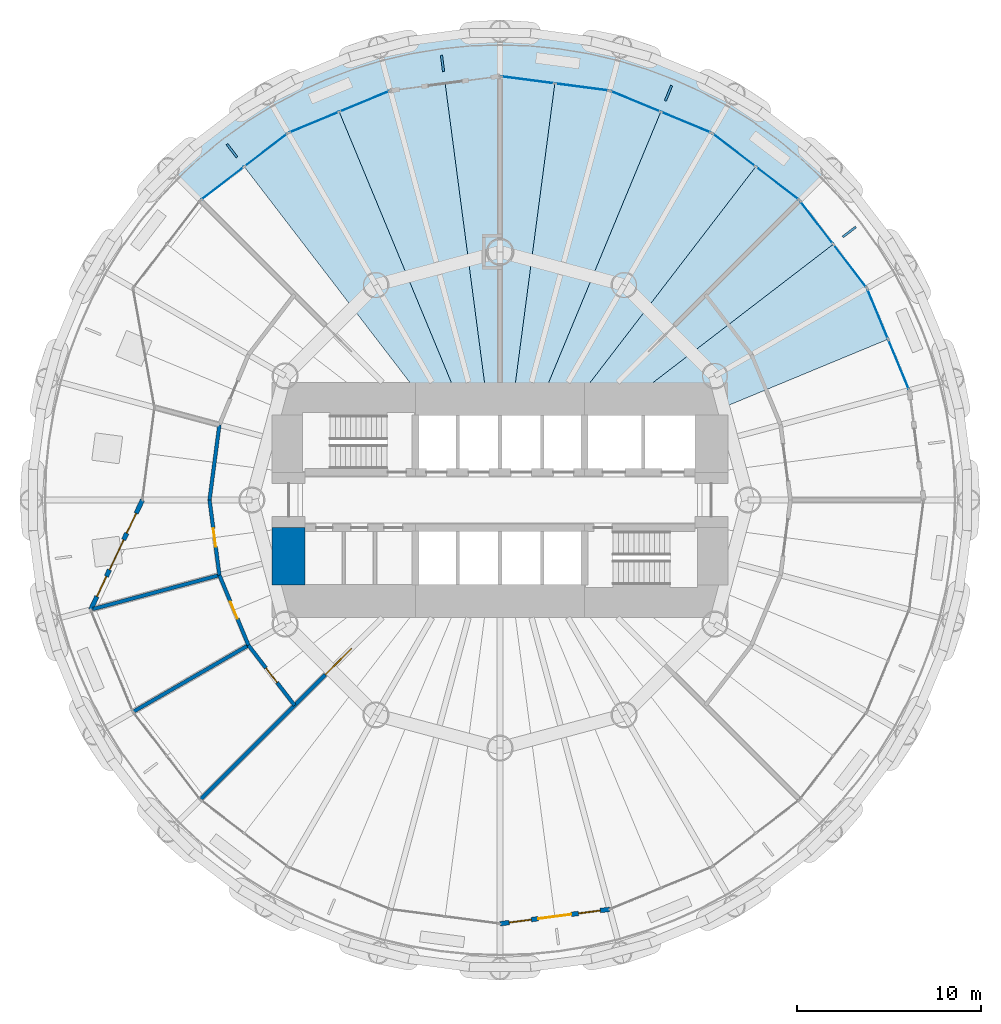
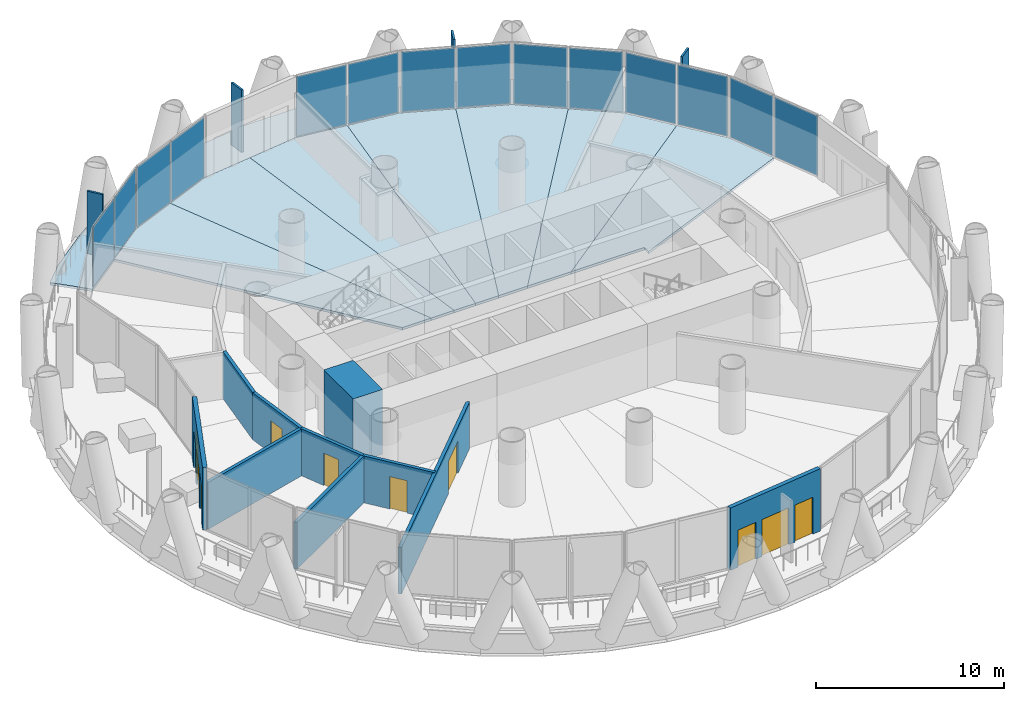
# One storey, part 9 of 15: 18 plates, 10 walls, 8 slabs, 6 doors, 4 windows, 10 openings, 7 elements without a shape of their own.
"""IFC4 building model written with IfcOpenShell, lengths in metres."""

from ifc_helpers import new_model, si_unit, direction, frame, frame_2d, origin, origin_2d, place, context, subcontext, project, spatial, polyline, rectangle, outline, extrude, material, layer, layer_set, type_object, element, fill, aggregate, save


model = new_model("IFC4")

# Units and contexts
model_context = context("Model", 3, precision=1e-05, world=origin(), true_north=direction((0.0, 1.0)))
body_context = subcontext(model_context, "Body", "Model", "MODEL_VIEW")
ifc_project = project(units=[si_unit("LENGTHUNIT", "METRE"), si_unit("AREAUNIT", "SQUARE_METRE"), si_unit("VOLUMEUNIT", "CUBIC_METRE"), si_unit("PLANEANGLEUNIT", "RADIAN"), si_unit("MASSUNIT", "GRAM", prefix="KILO")], contexts=[model_context])

# Site, building, storey
site_placement = place(None, origin())
site = spatial("IfcSite", under=ifc_project, at=site_placement, CompositionType="ELEMENT")
building_placement = place(site_placement, origin())
building = spatial("IfcBuilding", under=site, at=building_placement, Name="Qaws Media Tower", CompositionType="ELEMENT")
storey_placement = place(building_placement, frame((0.0, 0.0, 72.199951171875)))
storey = spatial("IfcBuildingStorey", under=building, at=storey_placement, Name="L15", CompositionType="ELEMENT", Elevation=72.199951171875)

# Slabs
ifc_material_1 = material(Name="Concrete C35/45", Category="concrete")
ifc_layer_1 = layer(ifc_material_1, 0.159912109375)
ifc_layer_set_1 = layer_set([ifc_layer_1], Name="Composite balcony slab 160")
slab_type_1 = type_object("IfcSlabType", Name="Composite balcony slab 160", PredefinedType="FLOOR", material=ifc_layer_set_1)
slab_1_placement = place(storey_placement, frame((0.0, 0.0, -0.159912109375)))
element("IfcSlab", 1, at=slab_1_placement, inside=storey, type_object=slab_type_1, Name="S2 balcony slab L15 R04 to R10, movement joints on R04 and R10", PredefinedType="FLOOR", context=body_context, shape_type="SweptSolid", body=[
    extrude(outline(polyline([(43.219482421875, 69.13427734375), (45.860595703125, 71.160888671875), (48.743896484375, 72.825439453125), (51.8193359375, 74.099365234375), (55.034912109375, 74.9609375), (58.33544921875, 75.3955078125), (61.66455078125, 75.3955078125), (64.965087890625, 74.9609375), (68.1806640625, 74.099365234375), (71.256103515625, 72.825439453125), (74.139404296875, 71.160888671875), (76.780517578125, 69.13427734375), (77.957275390625, 67.957275390625), (76.298828125, 66.298828125), (71.52490234375, 69.9619140625), (65.9658203125, 72.2646484375), (60.0, 73.050048828125), (54.0341796875, 72.2646484375), (48.47509765625, 69.9619140625), (43.701171875, 66.298828125), (42.042724609375, 67.957275390625), (43.219482421875, 69.13427734375)])), origin(), (0.0, 0.0, 1.0), 0.159912109375),
])
ifc_material_2 = material(Name="Concrete C35/45", Category="concrete")
ifc_layer_2 = layer(ifc_material_2, 0.159912109375)
ifc_layer_set_2 = layer_set([ifc_layer_2], Name="Composite floor slab 160")
slab_type_2 = type_object("IfcSlabType", Name="Composite floor slab 160", PredefinedType="FLOOR", material=ifc_layer_set_2)
slab_2_placement = place(storey_placement, frame((0.0, 0.0, -0.159912109375)))
element("IfcSlab", 2, at=slab_2_placement, inside=storey, type_object=slab_type_2, Name="S1 floor panel L15 on R03", PredefinedType="FLOOR", context=body_context, shape_type="SweptSolid", body=[
    extrude(outline(polyline([(79.9619140625, 61.52490234375), (81.11328125, 58.745361328125), (71.0, 54.556396484375), (71.0, 55.0), (66.51611328125, 55.0), (78.13037109375, 63.911865234375), (79.9619140625, 61.52490234375)])), origin(), (0.0, 0.0, 1.0), 0.159912109375),
])
slab_3_placement = place(storey_placement, frame((0.0, 0.0, -0.159912109375)))
element("IfcSlab", 3, at=slab_3_placement, inside=storey, type_object=slab_type_2, Name="S1 floor panel L15 on R04", PredefinedType="FLOOR", context=body_context, shape_type="SweptSolid", body=[
    extrude(outline(polyline([(76.298828125, 66.298828125), (78.13037109375, 63.911865234375), (66.51611328125, 55.0), (63.836669921875, 55.0), (73.911865234375, 68.13037109375), (76.298828125, 66.298828125)])), origin(), (0.0, 0.0, 1.0), 0.159912109375),
])
slab_4_placement = place(storey_placement, frame((0.0, 0.0, -0.159912109375)))
element("IfcSlab", 4, at=slab_4_placement, inside=storey, type_object=slab_type_2, Name="S1 floor panel L15 on R05", PredefinedType="FLOOR", context=body_context, shape_type="SweptSolid", body=[
    extrude(outline(polyline([(71.52490234375, 69.9619140625), (73.911865234375, 68.13037109375), (63.836669921875, 55.0), (62.071044921875, 55.0), (68.745361328125, 71.11328125), (71.52490234375, 69.9619140625)])), origin(), (0.0, 0.0, 1.0), 0.159912109375),
])
slab_5_placement = place(storey_placement, frame((0.0, 0.0, -0.159912109375)))
element("IfcSlab", 5, at=slab_5_placement, inside=storey, type_object=slab_type_2, Name="S1 floor panel L15 on R06", PredefinedType="FLOOR", context=body_context, shape_type="SweptSolid", body=[
    extrude(outline(polyline([(65.9658203125, 72.2646484375), (68.745361328125, 71.11328125), (62.071044921875, 55.0), (60.658203125, 55.0), (62.98291015625, 72.6572265625), (65.9658203125, 72.2646484375)])), origin(), (0.0, 0.0, 1.0), 0.159912109375),
])
slab_6_placement = place(storey_placement, frame((0.0, 0.0, -0.159912109375)))
element("IfcSlab", 6, at=slab_6_placement, inside=storey, type_object=slab_type_2, Name="S1 floor panel L15 on R07", PredefinedType="FLOOR", context=body_context, shape_type="SweptSolid", body=[
    extrude(outline(polyline([(60.0, 73.050048828125), (62.98291015625, 72.6572265625), (60.658203125, 55.0), (59.341796875, 55.0), (57.01708984375, 72.6572265625), (60.0, 73.050048828125)])), origin(), (0.0, 0.0, 1.0), 0.159912109375),
])
slab_7_placement = place(storey_placement, frame((0.0, 0.0, -0.159912109375)))
element("IfcSlab", 7, at=slab_7_placement, inside=storey, type_object=slab_type_2, Name="S1 floor panel L15 on R08", PredefinedType="FLOOR", context=body_context, shape_type="SweptSolid", body=[
    extrude(outline(polyline([(54.0341796875, 72.2646484375), (57.01708984375, 72.6572265625), (59.341796875, 55.0), (57.928955078125, 55.0), (51.254638671875, 71.11328125), (54.0341796875, 72.2646484375)])), origin(), (0.0, 0.0, 1.0), 0.159912109375),
])
slab_8_placement = place(storey_placement, frame((0.0, 0.0, -0.159912109375)))
element("IfcSlab", 8, at=slab_8_placement, inside=storey, type_object=slab_type_2, Name="S1 floor panel L15 on R09", PredefinedType="FLOOR", context=body_context, shape_type="SweptSolid", body=[
    extrude(outline(polyline([(48.47509765625, 69.9619140625), (51.254638671875, 71.11328125), (57.928955078125, 55.0), (56.163330078125, 55.0), (46.088134765625, 68.13037109375), (48.47509765625, 69.9619140625)])), origin(), (0.0, 0.0, 1.0), 0.159912109375),
])

# Curtain wall, plates
ifc_material_3 = material(Name="Aluminium and clear glass", Category="aluminium")
curtain_wall_type = type_object("IfcCurtainWallType", Name="Unitised curtain wall CW-A", PredefinedType="NOTDEFINED", material=ifc_material_3)
curtain_wall_1_placement = place(storey_placement, origin())
curtain_wall_1 = element("IfcCurtainWall", 9, at=curtain_wall_1_placement, inside=storey, type_object=curtain_wall_type, Name="CWA curtain wall L15-02", PredefinedType="NOTDEFINED")
ifc_material_4 = material(Name="Clear laminated double glazing", Category="glass")
ifc_layer_3 = layer(ifc_material_4, 0.031982421875)
ifc_layer_set_3 = layer_set([ifc_layer_3], Name="Curtain wall glass unit 32")
plate_type_1 = type_object("IfcPlateType", Name="Curtain wall glass unit 32", PredefinedType="CURTAIN_PANEL", material=ifc_layer_set_3)
plate_1_placement = place(storey_placement, frame((81.68115234375, 57.3740234375, 0.080078125), z_axis=(0.0, 0.0, 1.0), x_axis=(-0.382683328183, 0.923879575665, 0.0)))
plate_1 = element("IfcPlate", 10, at=plate_1_placement, type_object=plate_type_1, Name="CWA panel 1.1", PredefinedType="CURTAIN_PANEL", context=body_context, shape_type="SweptSolid", body=[
    extrude(rectangle(XDim=2.888671875, YDim=0.031982421875, at=origin_2d()), origin(), (0.0, 0.0, 1.0), 3.8798828125),
])
plate_2_placement = place(storey_placement, frame((80.545166015625, 60.11669921875, 0.080078125), z_axis=(0.0, 0.0, 1.0), x_axis=(-0.382683328183, 0.923879575665, 0.0)))
plate_2 = element("IfcPlate", 11, at=plate_2_placement, type_object=plate_type_1, Name="CWA panel 2.1", PredefinedType="CURTAIN_PANEL", context=body_context, shape_type="SweptSolid", body=[
    extrude(rectangle(XDim=2.888671875, YDim=0.031982421875, at=origin_2d()), origin(), (0.0, 0.0, 1.0), 3.8798828125),
])
aggregate(curtain_wall_1, [plate_1, plate_2])

curtain_wall_2_placement = place(storey_placement, origin())
curtain_wall_2 = element("IfcCurtainWall", 12, at=curtain_wall_2_placement, inside=storey, type_object=curtain_wall_type, Name="CWA curtain wall L15-03", PredefinedType="NOTDEFINED")
plate_3_placement = place(storey_placement, frame((79.033935546875, 62.734375, 0.080078125), z_axis=(0.0, 0.0, 1.0), x_axis=(-0.608761531958, 0.793353261295, 0.0)))
plate_3 = element("IfcPlate", 13, at=plate_3_placement, type_object=plate_type_1, Name="CWA panel 1.1", PredefinedType="CURTAIN_PANEL", context=body_context, shape_type="SweptSolid", body=[
    extrude(rectangle(XDim=2.888671875, YDim=0.031982421875, at=origin_2d()), origin(), (0.0, 0.0, 1.0), 3.8798828125),
])
plate_4_placement = place(storey_placement, frame((77.226806640625, 65.089599609375, 0.080078125), z_axis=(0.0, 0.0, 1.0), x_axis=(-0.608761531958, 0.793353261295, 0.0)))
plate_4 = element("IfcPlate", 14, at=plate_4_placement, type_object=plate_type_1, Name="CWA panel 2.1", PredefinedType="CURTAIN_PANEL", context=body_context, shape_type="SweptSolid", body=[
    extrude(rectangle(XDim=2.888671875, YDim=0.031982421875, at=origin_2d()), origin(), (0.0, 0.0, 1.0), 3.8798828125),
])
aggregate(curtain_wall_2, [plate_3, plate_4])

curtain_wall_3_placement = place(storey_placement, origin())
curtain_wall_3 = element("IfcCurtainWall", 15, at=curtain_wall_3_placement, inside=storey, type_object=curtain_wall_type, Name="CWA curtain wall L15-04", PredefinedType="NOTDEFINED")
plate_5_placement = place(storey_placement, frame((75.089599609375, 67.226806640625, 0.080078125), z_axis=(0.0, 0.0, 1.0), x_axis=(-0.793353261295, 0.608761531958, 0.0)))
plate_5 = element("IfcPlate", 16, at=plate_5_placement, type_object=plate_type_1, Name="CWA panel 1.1", PredefinedType="CURTAIN_PANEL", context=body_context, shape_type="SweptSolid", body=[
    extrude(rectangle(XDim=2.888671875, YDim=0.031982421875, at=origin_2d()), origin(), (0.0, 0.0, 1.0), 3.8798828125),
])
plate_6_placement = place(storey_placement, frame((72.734375, 69.033935546875, 0.080078125), z_axis=(0.0, 0.0, 1.0), x_axis=(-0.793353261295, 0.608761531958, 0.0)))
plate_6 = element("IfcPlate", 17, at=plate_6_placement, type_object=plate_type_1, Name="CWA panel 2.1", PredefinedType="CURTAIN_PANEL", context=body_context, shape_type="SweptSolid", body=[
    extrude(rectangle(XDim=2.888671875, YDim=0.031982421875, at=origin_2d()), origin(), (0.0, 0.0, 1.0), 3.8798828125),
])
aggregate(curtain_wall_3, [plate_5, plate_6])

curtain_wall_4_placement = place(storey_placement, origin())
curtain_wall_4 = element("IfcCurtainWall", 18, at=curtain_wall_4_placement, inside=storey, type_object=curtain_wall_type, Name="CWA curtain wall L15-05", PredefinedType="NOTDEFINED")
plate_7_placement = place(storey_placement, frame((70.11669921875, 70.545166015625, 0.080078125), z_axis=(0.0, 0.0, 1.0), x_axis=(-0.923879575665, 0.382683328183, 0.0)))
plate_7 = element("IfcPlate", 19, at=plate_7_placement, type_object=plate_type_1, Name="CWA panel 1.1", PredefinedType="CURTAIN_PANEL", context=body_context, shape_type="SweptSolid", body=[
    extrude(rectangle(XDim=2.888671875, YDim=0.031982421875, at=origin_2d()), origin(), (0.0, 0.0, 1.0), 3.8798828125),
])
plate_8_placement = place(storey_placement, frame((67.3740234375, 71.68115234375, 0.080078125), z_axis=(0.0, 0.0, 1.0), x_axis=(-0.923879575665, 0.382683328183, 0.0)))
plate_8 = element("IfcPlate", 20, at=plate_8_placement, type_object=plate_type_1, Name="CWA panel 2.1", PredefinedType="CURTAIN_PANEL", context=body_context, shape_type="SweptSolid", body=[
    extrude(rectangle(XDim=2.888671875, YDim=0.031982421875, at=origin_2d()), origin(), (0.0, 0.0, 1.0), 3.8798828125),
])
aggregate(curtain_wall_4, [plate_7, plate_8])

curtain_wall_5_placement = place(storey_placement, origin())
curtain_wall_5 = element("IfcCurtainWall", 21, at=curtain_wall_5_placement, inside=storey, type_object=curtain_wall_type, Name="CWA curtain wall L15-06", PredefinedType="NOTDEFINED")
plate_9_placement = place(storey_placement, frame((64.45458984375, 72.463623046875, 0.080078125), z_axis=(0.0, 0.0, 1.0), x_axis=(-0.991444855038, 0.130526240342, 0.0)))
plate_9 = element("IfcPlate", 22, at=plate_9_placement, type_object=plate_type_1, Name="CWA panel 1.1", PredefinedType="CURTAIN_PANEL", context=body_context, shape_type="SweptSolid", body=[
    extrude(rectangle(XDim=2.888671875, YDim=0.031982421875, at=origin_2d()), origin(), (0.0, 0.0, 1.0), 3.8798828125),
])
plate_10_placement = place(storey_placement, frame((61.51123046875, 72.85107421875, 0.080078125), z_axis=(0.0, 0.0, 1.0), x_axis=(-0.991444855038, 0.130526240342, 0.0)))
plate_10 = element("IfcPlate", 23, at=plate_10_placement, type_object=plate_type_1, Name="CWA panel 2.1", PredefinedType="CURTAIN_PANEL", context=body_context, shape_type="SweptSolid", body=[
    extrude(rectangle(XDim=2.888671875, YDim=0.031982421875, at=origin_2d()), origin(), (0.0, 0.0, 1.0), 3.8798828125),
])
aggregate(curtain_wall_5, [plate_9, plate_10])

curtain_wall_6_placement = place(storey_placement, origin())
curtain_wall_6 = element("IfcCurtainWall", 24, at=curtain_wall_6_placement, inside=storey, type_object=curtain_wall_type, Name="CWA curtain wall L15-08", PredefinedType="NOTDEFINED")
plate_11_placement = place(storey_placement, frame((52.6259765625, 71.68115234375, 0.080078125), z_axis=(0.0, 0.0, 1.0), x_axis=(-0.923879575665, -0.382683328183, 0.0)))
plate_11 = element("IfcPlate", 25, at=plate_11_placement, type_object=plate_type_1, Name="CWA panel 1.1", PredefinedType="CURTAIN_PANEL", context=body_context, shape_type="SweptSolid", body=[
    extrude(rectangle(XDim=2.888671875, YDim=0.031982421875, at=origin_2d()), origin(), (0.0, 0.0, 1.0), 3.8798828125),
])
plate_12_placement = place(storey_placement, frame((49.88330078125, 70.545166015625, 0.080078125), z_axis=(0.0, 0.0, 1.0), x_axis=(-0.923879575665, -0.382683328183, 0.0)))
plate_12 = element("IfcPlate", 26, at=plate_12_placement, type_object=plate_type_1, Name="CWA panel 2.1", PredefinedType="CURTAIN_PANEL", context=body_context, shape_type="SweptSolid", body=[
    extrude(rectangle(XDim=2.888671875, YDim=0.031982421875, at=origin_2d()), origin(), (0.0, 0.0, 1.0), 3.8798828125),
])
aggregate(curtain_wall_6, [plate_11, plate_12])

curtain_wall_7_placement = place(storey_placement, origin())
curtain_wall_7 = element("IfcCurtainWall", 27, at=curtain_wall_7_placement, inside=storey, type_object=curtain_wall_type, Name="CWA curtain wall L15-09", PredefinedType="NOTDEFINED")
plate_13_placement = place(storey_placement, frame((47.265625, 69.033935546875, 0.080078125), z_axis=(0.0, 0.0, 1.0), x_axis=(-0.793353261295, -0.608761531958, 0.0)))
plate_13 = element("IfcPlate", 28, at=plate_13_placement, type_object=plate_type_1, Name="CWA panel 1.1", PredefinedType="CURTAIN_PANEL", context=body_context, shape_type="SweptSolid", body=[
    extrude(rectangle(XDim=2.888671875, YDim=0.031982421875, at=origin_2d()), origin(), (0.0, 0.0, 1.0), 3.8798828125),
])
plate_14_placement = place(storey_placement, frame((44.910400390625, 67.226806640625, 0.080078125), z_axis=(0.0, 0.0, 1.0), x_axis=(-0.793353261295, -0.608761531958, 0.0)))
plate_14 = element("IfcPlate", 29, at=plate_14_placement, type_object=plate_type_1, Name="CWA panel 2.1", PredefinedType="CURTAIN_PANEL", context=body_context, shape_type="SweptSolid", body=[
    extrude(rectangle(XDim=2.888671875, YDim=0.031982421875, at=origin_2d()), origin(), (0.0, 0.0, 1.0), 3.8798828125),
])
aggregate(curtain_wall_7, [plate_13, plate_14])

# Plates
ifc_material_5 = material(Name="Precast concrete screen fin", Category="concrete")
ifc_layer_4 = layer(ifc_material_5, 0.1201171875)
ifc_layer_set_4 = layer_set([ifc_layer_4], Name="Screen fin 120x900")
plate_type_2 = type_object("IfcPlateType", Name="Screen fin 120x900", PredefinedType="USERDEFINED", material=ifc_layer_set_4)
for number, where, z_axis, x_axis, name in (
    (30, (79.000732421875, 64.579833984375, 0.0), (0.0, 0.0, 1.0), (0.793353340291, 0.608761429009, 0.0), "SCR1 screen fin L15-02"),
    (31, (69.165283203125, 72.126953125, 0.0), (0.0, 0.0, 1.0), (0.382683432365, 0.923879532511, 0.0), "SCR1 screen fin L15-03"),
    (32, (56.873779296875, 73.7451171875, 0.0), (0.0, 0.0, 1.0), (-0.13052619222, 0.991444861374, 0.0), "SCR1 screen fin L15-04"),
    (33, (45.420166015625, 69.000732421875, 0.0), (0.0, 0.0, 1.0), (-0.608761429009, 0.793353340291, 0.0), "SCR1 screen fin L15-05"),
):
    element("IfcPlate", number, at=place(storey_placement, frame(where, z_axis=z_axis, x_axis=x_axis)), inside=storey, type_object=plate_type_2, Name=name, ObjectType="SCREEN", PredefinedType="USERDEFINED", context=body_context, shape_type="SweptSolid", body=[
        extrude(rectangle(XDim=0.89990234375, YDim=0.1201171875, at=origin_2d()), origin(), (0.0, 0.0, 1.0), 4.0400390625),
    ])

# Wall, openings, door, windows
ifc_material_6 = material(Name="Precast concrete, exposed finish", Category="concrete")
ifc_layer_5 = layer(ifc_material_6, 0.25)
ifc_layer_set_5 = layer_set([ifc_layer_5], Name="Balcony door wall 250")
wall_type_1 = type_object("IfcWallType", Name="Balcony door wall 250", PredefinedType="SOLIDWALL", material=ifc_layer_set_5)
wall_1_placement = place(storey_placement, frame((40.550048828125, 50.0, 0.0), z_axis=(0.0, 0.0, 1.0), x_axis=(-0.426696931266, -0.904394675376, 0.0)))
wall_1 = element("IfcWall", 34, at=wall_1_placement, inside=storey, type_object=wall_type_1, Name="W149 EW1 balcony door wall L15-13", PredefinedType="SOLIDWALL", context=body_context, shape_type="SweptSolid", body=[
    extrude(rectangle(XDim=6.596435546875, YDim=0.25, at=frame_2d((3.29833984375, 0.0))), origin(), (0.0, 0.0, 1.0), 4.0400390625),
])
opening_1_placement = place(wall_1_placement, frame((2.398193359375, 0.0, 0.0)))
opening_1 = element("IfcOpeningElement", 35, at=opening_1_placement, cuts=wall_1, Name="Opening D7", PredefinedType="OPENING", context=body_context, shape_type="SweptSolid", body=[
    extrude(rectangle(XDim=1.800048828125, YDim=2.39990234375, at=frame_2d((0.89990234375, 1.199951171875))), frame((0.0, 0.135009765625, 0.0), z_axis=(0.0, -1.0, 0.0), x_axis=(1.0, 0.0, 0.0)), (0.0, 0.0, 1.0), 0.27001953125),
])
opening_2_placement = place(wall_1_placement, frame((0.798095703125, 0.0, 0.0)))
opening_2 = element("IfcOpeningElement", 36, at=opening_2_placement, cuts=wall_1, Name="Opening W1", PredefinedType="OPENING", context=body_context, shape_type="SweptSolid", body=[
    extrude(rectangle(XDim=1.199951171875, YDim=2.39990234375, at=frame_2d((0.60009765625, 1.199951171875))), frame((0.0, 0.135009765625, 0.0), z_axis=(0.0, -1.0, 0.0), x_axis=(1.0, 0.0, 0.0)), (0.0, 0.0, 1.0), 0.27001953125),
])
opening_3_placement = place(wall_1_placement, frame((4.59814453125, 0.0, 0.0)))
opening_3 = element("IfcOpeningElement", 37, at=opening_3_placement, cuts=wall_1, Name="Opening W1", PredefinedType="OPENING", context=body_context, shape_type="SweptSolid", body=[
    extrude(rectangle(XDim=1.199951171875, YDim=2.39990234375, at=frame_2d((0.60009765625, 1.199951171875))), frame((0.0, 0.135009765625, 0.0), z_axis=(0.0, -1.0, 0.0), x_axis=(1.0, 0.0, 0.0)), (0.0, 0.0, 1.0), 0.27001953125),
])
ifc_material_7 = material(Name="Aluminium and clear glass", Category="aluminium")
door_type_1 = type_object("IfcDoorType", Name="Balcony door pair 1800", OperationType="DOUBLE_DOOR_SLIDING", PredefinedType="DOOR", material=ifc_material_7)
door_1_placement = place(opening_1_placement, origin())
door_1 = element("IfcDoor", 38, at=door_1_placement, inside=storey, type_object=door_type_1, Name="D7 balcony door L15-13 in wall W149", OperationType="DOUBLE_DOOR_SLIDING", OverallHeight=2.39990234375, OverallWidth=1.800048828125, PredefinedType="DOOR", context=body_context, shape_type="SweptSolid", body=[
    extrude(rectangle(XDim=1.800048828125, YDim=2.39990234375, at=frame_2d((0.89990234375, 1.199951171875))), frame((0.0, 0.02490234375, 0.0), z_axis=(0.0, -1.0, 0.0), x_axis=(1.0, 0.0, 0.0)), (0.0, 0.0, 1.0), 0.050048828125),
])
fill(opening_1, door_1)
ifc_material_8 = material(Name="Aluminium and clear glass", Category="aluminium")
window_type = type_object("IfcWindowType", Name="Balcony side window 1200", PartitioningType="SINGLE_PANEL", PredefinedType="WINDOW", material=ifc_material_8)
window_1_placement = place(opening_2_placement, origin())
window_1 = element("IfcWindow", 39, at=window_1_placement, inside=storey, type_object=window_type, Name="W1 balcony side light L15-13L", OverallHeight=2.39990234375, OverallWidth=1.199951171875, PartitioningType="SINGLE_PANEL", PredefinedType="WINDOW", context=body_context, shape_type="SweptSolid", body=[
    extrude(rectangle(XDim=1.199951171875, YDim=2.39990234375, at=frame_2d((0.60009765625, 1.199951171875))), frame((0.0, 0.030029296875, 0.0), z_axis=(0.0, -1.0, 0.0), x_axis=(1.0, 0.0, 0.0)), (0.0, 0.0, 1.0), 0.06005859375),
])
fill(opening_2, window_1)
window_2_placement = place(opening_3_placement, origin())
window_2 = element("IfcWindow", 40, at=window_2_placement, inside=storey, type_object=window_type, Name="W1 balcony side light L15-13R", OverallHeight=2.39990234375, OverallWidth=1.199951171875, PartitioningType="SINGLE_PANEL", PredefinedType="WINDOW", context=body_context, shape_type="SweptSolid", body=[
    extrude(rectangle(XDim=1.199951171875, YDim=2.39990234375, at=frame_2d((0.60009765625, 1.199951171875))), frame((0.0, 0.030029296875, 0.0), z_axis=(0.0, -1.0, 0.0), x_axis=(1.0, 0.0, 0.0)), (0.0, 0.0, 1.0), 0.06005859375),
])
fill(opening_3, window_2)

wall_2_placement = place(storey_placement, frame((60.0, 26.949951171875, 0.0), z_axis=(0.0, 0.0, 1.0), x_axis=(0.991445178667, 0.130523782115, 0.0)))
wall_2 = element("IfcWall", 41, at=wall_2_placement, inside=storey, type_object=wall_type_1, Name="W150 EW1 balcony door wall L15-19", PredefinedType="SOLIDWALL", context=body_context, shape_type="SweptSolid", body=[
    extrude(rectangle(XDim=6.017333984375, YDim=0.25, at=frame_2d((3.0087890625, 0.0))), origin(), (0.0, 0.0, 1.0), 4.0400390625),
])
opening_4_placement = place(wall_2_placement, frame((2.108642578125, 0.0, 0.0)))
opening_4 = element("IfcOpeningElement", 42, at=opening_4_placement, cuts=wall_2, Name="Opening D7", PredefinedType="OPENING", context=body_context, shape_type="SweptSolid", body=[
    extrude(rectangle(XDim=1.800048828125, YDim=2.39990234375, at=frame_2d((0.89990234375, 1.199951171875))), frame((0.0, 0.135009765625, 0.0), z_axis=(0.0, -1.0, 0.0), x_axis=(1.0, 0.0, 0.0)), (0.0, 0.0, 1.0), 0.27001953125),
])
opening_5_placement = place(wall_2_placement, frame((0.508544921875, 0.0, 0.0)))
opening_5 = element("IfcOpeningElement", 43, at=opening_5_placement, cuts=wall_2, Name="Opening W1", PredefinedType="OPENING", context=body_context, shape_type="SweptSolid", body=[
    extrude(rectangle(XDim=1.199951171875, YDim=2.39990234375, at=frame_2d((0.60009765625, 1.199951171875))), frame((0.0, 0.135009765625, 0.0), z_axis=(0.0, -1.0, 0.0), x_axis=(1.0, 0.0, 0.0)), (0.0, 0.0, 1.0), 0.27001953125),
])
opening_6_placement = place(wall_2_placement, frame((4.30859375, 0.0, 0.0)))
opening_6 = element("IfcOpeningElement", 44, at=opening_6_placement, cuts=wall_2, Name="Opening W1", PredefinedType="OPENING", context=body_context, shape_type="SweptSolid", body=[
    extrude(rectangle(XDim=1.199951171875, YDim=2.39990234375, at=frame_2d((0.60009765625, 1.199951171875))), frame((0.0, 0.135009765625, 0.0), z_axis=(0.0, -1.0, 0.0), x_axis=(1.0, 0.0, 0.0)), (0.0, 0.0, 1.0), 0.27001953125),
])
door_2_placement = place(opening_4_placement, origin())
door_2 = element("IfcDoor", 45, at=door_2_placement, inside=storey, type_object=door_type_1, Name="D7 balcony door L15-19 in wall W150", OperationType="DOUBLE_DOOR_SLIDING", OverallHeight=2.39990234375, OverallWidth=1.800048828125, PredefinedType="DOOR", context=body_context, shape_type="SweptSolid", body=[
    extrude(rectangle(XDim=1.800048828125, YDim=2.39990234375, at=frame_2d((0.89990234375, 1.199951171875))), frame((0.0, 0.02490234375, 0.0), z_axis=(0.0, -1.0, 0.0), x_axis=(1.0, 0.0, 0.0)), (0.0, 0.0, 1.0), 0.050048828125),
])
fill(opening_4, door_2)
window_3_placement = place(opening_5_placement, origin())
window_3 = element("IfcWindow", 46, at=window_3_placement, inside=storey, type_object=window_type, Name="W1 balcony side light L15-19L", OverallHeight=2.39990234375, OverallWidth=1.199951171875, PartitioningType="SINGLE_PANEL", PredefinedType="WINDOW", context=body_context, shape_type="SweptSolid", body=[
    extrude(rectangle(XDim=1.199951171875, YDim=2.39990234375, at=frame_2d((0.60009765625, 1.199951171875))), frame((0.0, 0.030029296875, 0.0), z_axis=(0.0, -1.0, 0.0), x_axis=(1.0, 0.0, 0.0)), (0.0, 0.0, 1.0), 0.06005859375),
])
fill(opening_5, window_3)
window_4_placement = place(opening_6_placement, origin())
window_4 = element("IfcWindow", 47, at=window_4_placement, inside=storey, type_object=window_type, Name="W1 balcony side light L15-19R", OverallHeight=2.39990234375, OverallWidth=1.199951171875, PartitioningType="SINGLE_PANEL", PredefinedType="WINDOW", context=body_context, shape_type="SweptSolid", body=[
    extrude(rectangle(XDim=1.199951171875, YDim=2.39990234375, at=frame_2d((0.60009765625, 1.199951171875))), frame((0.0, 0.030029296875, 0.0), z_axis=(0.0, -1.0, 0.0), x_axis=(1.0, 0.0, 0.0)), (0.0, 0.0, 1.0), 0.06005859375),
])
fill(opening_6, window_4)

# Wall
ifc_material_9 = material(Name="Concrete C60/75", Category="concrete")
ifc_layer_6 = layer(ifc_material_9, 1.800048828125)
ifc_layer_set_6 = layer_set([ifc_layer_6], Name="Core wall 1800")
wall_type_2 = type_object("IfcWallType", Name="Core wall 1800", PredefinedType="SHEAR", material=ifc_layer_set_6)
wall_3_placement = place(storey_placement, frame((48.5, 45.3798828125, 0.0), z_axis=(0.0, 0.0, 1.0), x_axis=(0.0, 1.0, 0.0)))
element("IfcWall", 48, at=wall_3_placement, inside=storey, type_object=wall_type_2, Name="W400 SW11 core wall WS L15", PredefinedType="SHEAR", context=body_context, shape_type="SweptSolid", body=[
    extrude(rectangle(XDim=3.1201171875, YDim=1.800048828125, at=frame_2d((1.56005859375, 0.0))), origin(), (0.0, 0.0, 1.0), 4.199951171875),
])

# Wall, opening, door
ifc_material_10 = material(Name="Gypsum board on galvanised metal studs, acoustic double stud, deflection head", Category="gypsum")
ifc_layer_7 = layer(ifc_material_10, 0.199951171875)
ifc_layer_set_7 = layer_set([ifc_layer_7], Name="Room partition 200")
wall_type_3 = type_object("IfcWallType", Name="Room partition 200", PredefinedType="PARTITIONING", material=ifc_layer_set_7)
wall_4_placement = place(storey_placement, frame((48.82763671875, 38.82763671875, 0.0), z_axis=(0.0, 0.0, 1.0), x_axis=(-0.608714823874, 0.793389099494, 0.0)))
wall_4 = element("IfcWall", 49, at=wall_4_placement, inside=storey, type_object=wall_type_3, Name="W948 IW3 partition L15", PredefinedType="PARTITIONING", context=body_context, shape_type="SweptSolid", body=[
    extrude(rectangle(XDim=4.124755859375, YDim=0.199951171875, at=frame_2d((2.0625, 0.0))), origin(), (0.0, 0.0, 1.0), 3.0400390625),
])
opening_7_placement = place(wall_4_placement, frame((1.562255859375, 0.0, 0.0)))
opening_7 = element("IfcOpeningElement", 50, at=opening_7_placement, cuts=wall_4, Name="Opening D5", PredefinedType="OPENING", context=body_context, shape_type="SweptSolid", body=[
    extrude(rectangle(XDim=1.0, YDim=2.10009765625, at=frame_2d((0.5, 1.050048828125))), frame((0.0, 0.10986328125, 0.0), z_axis=(0.0, -1.0, 0.0), x_axis=(1.0, 0.0, 0.0)), (0.0, 0.0, 1.0), 0.219970703125),
])
ifc_material_11 = material(Name="Timber veneered, acoustic seal", Category="wood")
door_type_2 = type_object("IfcDoorType", Name="Room door 1000", OperationType="SINGLE_SWING_LEFT", PredefinedType="DOOR", material=ifc_material_11)
door_3_placement = place(opening_7_placement, origin())
door_3 = element("IfcDoor", 51, at=door_3_placement, inside=storey, type_object=door_type_2, Name="D5 Ladies toilets door L15 in wall W948", OperationType="SINGLE_SWING_LEFT", OverallHeight=2.10009765625, OverallWidth=1.0, PredefinedType="DOOR", context=body_context, shape_type="SweptSolid", body=[
    extrude(rectangle(XDim=1.0, YDim=2.10009765625, at=frame_2d((0.5, 1.050048828125))), frame((0.0, 0.02490234375, 0.0), z_axis=(0.0, -1.0, 0.0), x_axis=(1.0, 0.0, 0.0)), (0.0, 0.0, 1.0), 0.050048828125),
])
fill(opening_7, door_3)

wall_5_placement = place(storey_placement, frame((46.31689453125, 42.10009765625, 0.0), z_axis=(0.0, 0.0, 1.0), x_axis=(-0.382731667114, 0.923859551549, 0.0)))
wall_5 = element("IfcWall", 52, at=wall_5_placement, inside=storey, type_object=wall_type_3, Name="W946 IW3 partition L15", PredefinedType="PARTITIONING", context=body_context, shape_type="SweptSolid", body=[
    extrude(rectangle(XDim=4.12451171875, YDim=0.199951171875, at=frame_2d((2.062255859375, 0.0))), origin(), (0.0, 0.0, 1.0), 3.0400390625),
])
opening_8_placement = place(wall_5_placement, frame((1.562255859375, 0.0, 0.0)))
opening_8 = element("IfcOpeningElement", 53, at=opening_8_placement, cuts=wall_5, Name="Opening D5", PredefinedType="OPENING", context=body_context, shape_type="SweptSolid", body=[
    extrude(rectangle(XDim=1.0, YDim=2.10009765625, at=frame_2d((0.5, 1.050048828125))), frame((0.0, 0.10986328125, 0.0), z_axis=(0.0, -1.0, 0.0), x_axis=(1.0, 0.0, 0.0)), (0.0, 0.0, 1.0), 0.219970703125),
])
door_4_placement = place(opening_8_placement, origin())
door_4 = element("IfcDoor", 54, at=door_4_placement, inside=storey, type_object=door_type_2, Name="D5 Gents toilets door L15 in wall W946", OperationType="SINGLE_SWING_LEFT", OverallHeight=2.10009765625, OverallWidth=1.0, PredefinedType="DOOR", context=body_context, shape_type="SweptSolid", body=[
    extrude(rectangle(XDim=1.0, YDim=2.10009765625, at=frame_2d((0.5, 1.050048828125))), frame((0.0, 0.02490234375, 0.0), z_axis=(0.0, -1.0, 0.0), x_axis=(1.0, 0.0, 0.0)), (0.0, 0.0, 1.0), 0.050048828125),
])
fill(opening_8, door_4)

wall_6_placement = place(storey_placement, frame((44.73828125, 45.91064453125, 0.0), z_axis=(0.0, 0.0, 1.0), x_axis=(-0.130515758099, 0.991446234996, 0.0)))
wall_6 = element("IfcWall", 55, at=wall_6_placement, inside=storey, type_object=wall_type_3, Name="W943 IW3 partition L15", PredefinedType="PARTITIONING", context=body_context, shape_type="SweptSolid", body=[
    extrude(rectangle(XDim=4.124755859375, YDim=0.199951171875, at=frame_2d((2.0625, 0.0))), origin(), (0.0, 0.0, 1.0), 3.0400390625),
])
opening_9_placement = place(wall_6_placement, frame((1.562255859375, 0.0, 0.0)))
opening_9 = element("IfcOpeningElement", 56, at=opening_9_placement, cuts=wall_6, Name="Opening D5", PredefinedType="OPENING", context=body_context, shape_type="SweptSolid", body=[
    extrude(rectangle(XDim=1.0, YDim=2.10009765625, at=frame_2d((0.5, 1.050048828125))), frame((0.0, 0.10986328125, 0.0), z_axis=(0.0, -1.0, 0.0), x_axis=(1.0, 0.0, 0.0)), (0.0, 0.0, 1.0), 0.219970703125),
])
door_5_placement = place(opening_9_placement, origin())
door_5 = element("IfcDoor", 57, at=door_5_placement, inside=storey, type_object=door_type_2, Name="D5 Graphics studio door L15 in wall W943", OperationType="SINGLE_SWING_LEFT", OverallHeight=2.10009765625, OverallWidth=1.0, PredefinedType="DOOR", context=body_context, shape_type="SweptSolid", body=[
    extrude(rectangle(XDim=1.0, YDim=2.10009765625, at=frame_2d((0.5, 1.050048828125))), frame((0.0, 0.02490234375, 0.0), z_axis=(0.0, -1.0, 0.0), x_axis=(1.0, 0.0, 0.0)), (0.0, 0.0, 1.0), 0.050048828125),
])
fill(opening_9, door_5)

# Walls
wall_7_placement = place(storey_placement, frame((44.199951171875, 50.0, 0.0), z_axis=(0.0, 0.0, 1.0), x_axis=(0.130515758099, 0.991446234996, 0.0)))
element("IfcWall", 58, at=wall_7_placement, inside=storey, type_object=wall_type_3, Name="W941 IW3 partition L15", PredefinedType="PARTITIONING", context=body_context, shape_type="SweptSolid", body=[
    extrude(rectangle(XDim=4.124755859375, YDim=0.199951171875, at=frame_2d((2.0625, 0.0))), origin(), (0.0, 0.0, 1.0), 3.0400390625),
])
wall_8_placement = place(storey_placement, frame((44.73828125, 45.91064453125, 0.0), z_axis=(0.0, 0.0, 1.0), x_axis=(-0.965929352572, -0.258805884477, 0.0)))
element("IfcWall", 59, at=wall_8_placement, inside=storey, type_object=wall_type_3, Name="W1080 IW3 partition L15", PredefinedType="PARTITIONING", context=body_context, shape_type="SweptSolid", body=[
    extrude(rectangle(XDim=7.10986328125, YDim=0.199951171875, at=frame_2d((3.554931640625, 0.0))), origin(), (0.0, 0.0, 1.0), 3.0400390625),
])
wall_9_placement = place(storey_placement, frame((46.31689453125, 42.10009765625, 0.0), z_axis=(0.0, 0.0, 1.0), x_axis=(-0.866029956157, -0.499992114976, 0.0)))
element("IfcWall", 60, at=wall_9_placement, inside=storey, type_object=wall_type_3, Name="W1082 IW3 partition L15", PredefinedType="PARTITIONING", context=body_context, shape_type="SweptSolid", body=[
    extrude(rectangle(XDim=7.2099609375, YDim=0.199951171875, at=frame_2d((3.60498046875, 0.0))), origin(), (0.0, 0.0, 1.0), 3.0400390625),
])

# Wall, opening, door
wall_10_placement = place(storey_placement, frame((53.60009765625, 43.60009765625, 0.0), z_axis=(0.0, 0.0, 1.0), x_axis=(-0.707106781187, -0.707106781187, 0.0)))
wall_10 = element("IfcWall", 61, at=wall_10_placement, inside=storey, type_object=wall_type_3, Name="W1083 IW3 partition L15", PredefinedType="PARTITIONING", context=body_context, shape_type="SweptSolid", body=[
    extrude(rectangle(XDim=13.959228515625, YDim=0.199951171875, at=frame_2d((6.9794921875, 0.0))), origin(), (0.0, 0.0, 1.0), 3.02001953125),
])
opening_10_placement = place(wall_10_placement, frame((2.37451171875, 0.0, 0.0)))
opening_10 = element("IfcOpeningElement", 62, at=opening_10_placement, cuts=wall_10, Name="Opening D6", PredefinedType="OPENING", context=body_context, shape_type="SweptSolid", body=[
    extrude(rectangle(XDim=2.0, YDim=2.10009765625, at=frame_2d((1.0, 1.050048828125))), frame((0.0, 0.10986328125, 0.0), z_axis=(0.0, -1.0, 0.0), x_axis=(1.0, 0.0, 0.0)), (0.0, 0.0, 1.0), 0.219970703125),
])
ifc_material_12 = material(Name="Steel, acoustic, fire rated", Category="steel")
door_type_3 = type_object("IfcDoorType", Name="Room door pair 2000", OperationType="DOUBLE_DOOR_DOUBLE_SWING", PredefinedType="DOOR", material=ifc_material_12)
door_6_placement = place(opening_10_placement, origin())
door_6 = element("IfcDoor", 63, at=door_6_placement, inside=storey, type_object=door_type_3, Name="D6 Graphics workroom door L15 in wall W1083", OperationType="DOUBLE_DOOR_DOUBLE_SWING", OverallHeight=2.10009765625, OverallWidth=2.0, PredefinedType="DOOR", context=body_context, shape_type="SweptSolid", body=[
    extrude(rectangle(XDim=2.0, YDim=2.10009765625, at=frame_2d((1.0, 1.050048828125))), frame((0.0, 0.02490234375, 0.0), z_axis=(0.0, -1.0, 0.0), x_axis=(1.0, 0.0, 0.0)), (0.0, 0.0, 1.0), 0.050048828125),
])
fill(opening_10, door_6)

save(model, "model.ifc")
